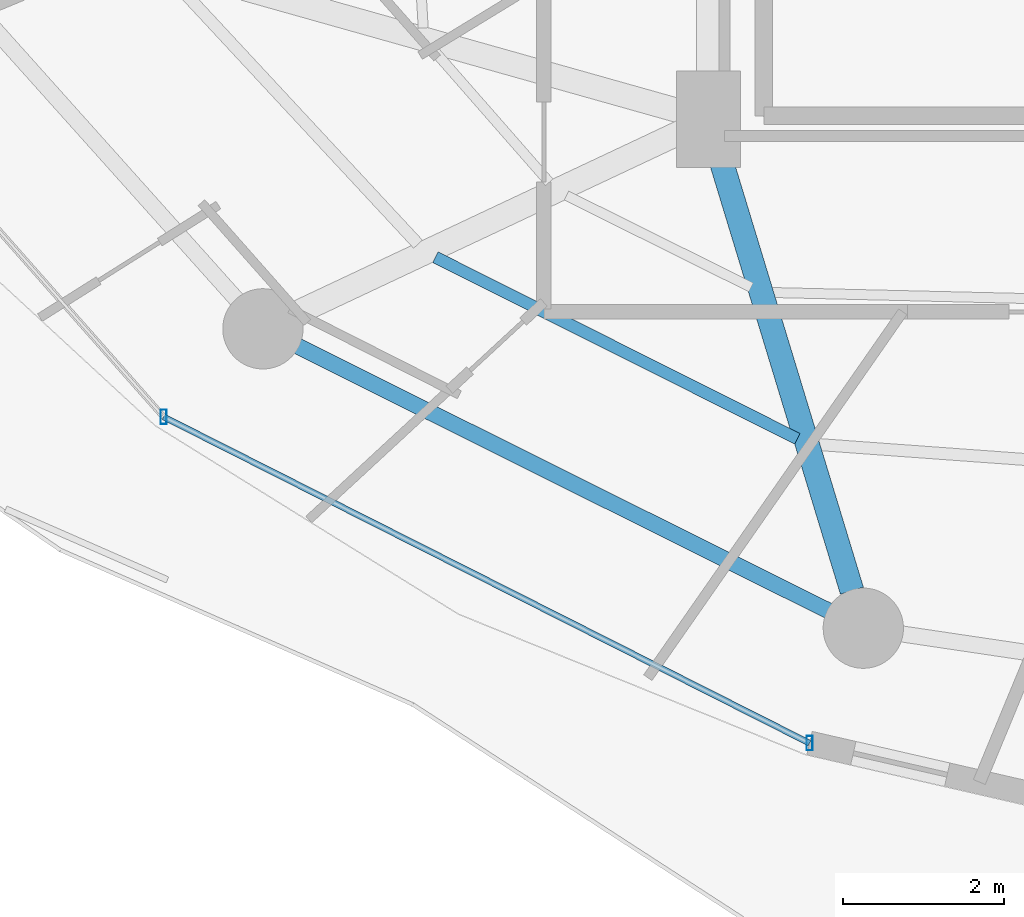
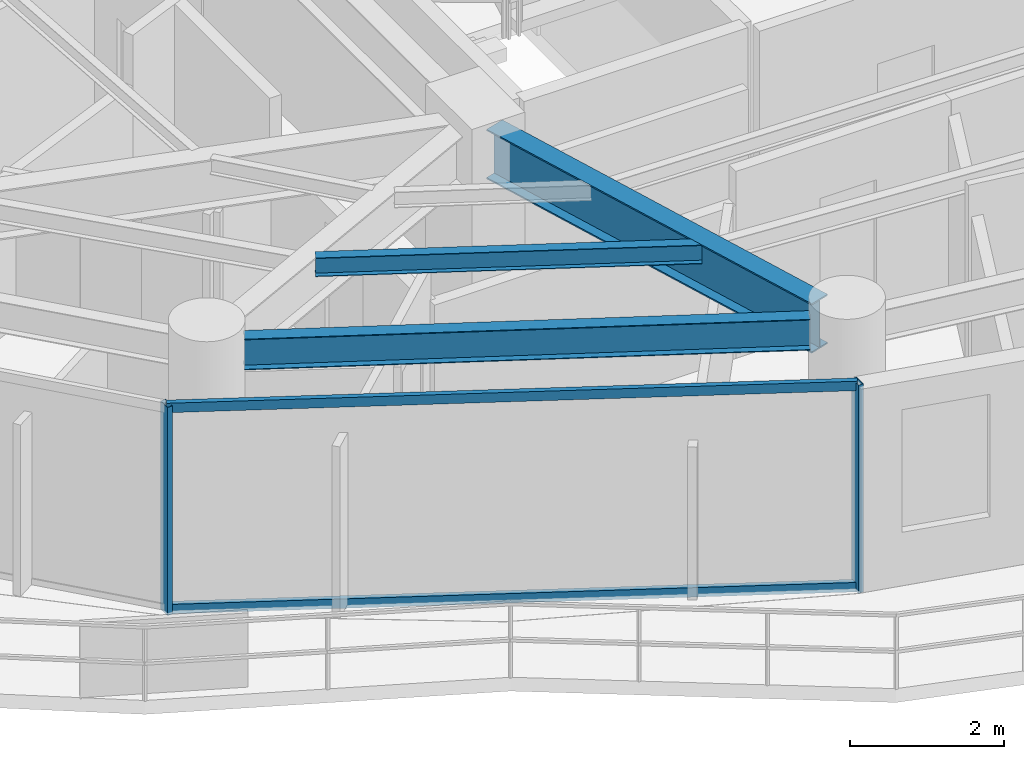
# One storey, part 2 of 28: 4 members, 3 beams, 1 element without a shape of its own.
"""IFC4 building model written with IfcOpenShell, lengths in metres."""

from ifc_helpers import new_model, si_unit, direction, frame, origin, origin_2d, place, context, subcontext, project, spatial, hollow_rectangle, i_section, extrude, material, material_profile, profile_set, type_object, element, aggregate, save


model = new_model("IFC4")

# Units and contexts
model_context = context("Model", 3, precision=1e-05, world=origin(), true_north=direction((0.0, 1.0)))
body_context = subcontext(model_context, "Body", "Model", "MODEL_VIEW")
ifc_project = project(units=[si_unit("LENGTHUNIT", "METRE"), si_unit("AREAUNIT", "SQUARE_METRE"), si_unit("VOLUMEUNIT", "CUBIC_METRE"), si_unit("PLANEANGLEUNIT", "RADIAN"), si_unit("MASSUNIT", "GRAM", prefix="KILO")], contexts=[model_context])

# Site, building, storey
site_placement = place(None, origin())
site = spatial("IfcSite", under=ifc_project, at=site_placement, CompositionType="ELEMENT")
building_placement = place(site_placement, origin())
building = spatial("IfcBuilding", under=site, at=building_placement, Name="Vorneva Point Tower", CompositionType="ELEMENT")
storey_placement = place(building_placement, frame((0.0, 0.0, 139.60009765625)))
storey = spatial("IfcBuildingStorey", under=building, at=storey_placement, Name="L37", CompositionType="ELEMENT", Elevation=139.60009765625)

# Beams
ifc_material_1 = material(Name="Steel S355", Category="steel")
ifc_material_profile_1 = material_profile(ifc_material_1, i_section(OverallWidth=0.300048828125, OverallDepth=0.7880859375, WebThickness=0.014404296875, FlangeThickness=0.02197265625, at=origin_2d()), Name="80Sh1")
ifc_profile_set_1 = profile_set([ifc_material_profile_1], Name="Steel S355")
beam_type_1 = type_object("IfcBeamType", Name="BM-GRD-80Sh1", PredefinedType="USERDEFINED", material=ifc_profile_set_1)
beam_1_placement = place(storey_placement, frame((29.037109375, 10.576171875, 2.845947265625), z_axis=(-0.291049382966, 0.95670803105, 0.0), x_axis=(-0.95670803105, -0.291049382966, 0.0)))
element("IfcBeam", 1, at=beam_1_placement, inside=storey, type_object=beam_type_1, Name="L37 Radial Primary Girder 12", ObjectType="GIRDER", PredefinedType="USERDEFINED", context=body_context, shape_type="SweptSolid", body=[
    extrude(i_section(OverallWidth=0.300048828125, OverallDepth=0.7880859375, WebThickness=0.014404296875, FlangeThickness=0.02197265625, at=origin_2d()), origin(), (0.0, 0.0, 1.0), 5.799560546875),
])
ifc_material_profile_2 = material_profile(ifc_material_1, i_section(OverallWidth=0.14892578125, OverallDepth=0.298095703125, WebThickness=0.005615234375, FlangeThickness=0.008056640625, at=origin_2d()), Name="30B1")
ifc_profile_set_2 = profile_set([ifc_material_profile_2], Name="Steel S355")
beam_type_2 = type_object("IfcBeamType", Name="BM-JST-30B1", PredefinedType="JOIST", material=ifc_profile_set_2)
beam_2_placement = place(storey_placement, frame((23.85009765625, 14.7294921875, 3.0908203125), z_axis=(0.893855059999, -0.448356032316, 0.0), x_axis=(0.448356032316, 0.893855059999, 0.0)))
element("IfcBeam", 2, at=beam_2_placement, inside=storey, type_object=beam_type_2, Name="L37 Secondary Floor Beam 1.11", PredefinedType="JOIST", context=body_context, shape_type="SweptSolid", body=[
    extrude(i_section(OverallWidth=0.14892578125, OverallDepth=0.298095703125, WebThickness=0.005615234375, FlangeThickness=0.008056640625, at=origin_2d()), origin(), (0.0, 0.0, 1.0), 5.041748046875),
])
ifc_material_profile_3 = material_profile(ifc_material_1, i_section(OverallWidth=0.199951171875, OverallDepth=0.491943359375, WebThickness=0.0087890625, FlangeThickness=0.011962890625, at=origin_2d()), Name="50B1")
ifc_profile_set_3 = profile_set([ifc_material_profile_3], Name="Steel S355")
beam_type_3 = type_object("IfcBeamType", Name="BM-SPN-50B1", PredefinedType="SPANDREL", material=ifc_profile_set_3)
beam_3_placement = place(storey_placement, frame((22.13525390625, 13.621337890625, 2.993896484375), z_axis=(0.894929061397, -0.446208443518, 0.0), x_axis=(0.446208443518, 0.894929061397, 0.0)))
element("IfcBeam", 3, at=beam_3_placement, inside=storey, type_object=beam_type_3, Name="L37 Perimeter Spandrel Ring Beam 11", PredefinedType="SPANDREL", context=body_context, shape_type="SweptSolid", body=[
    extrude(i_section(OverallWidth=0.199951171875, OverallDepth=0.491943359375, WebThickness=0.0087890625, FlangeThickness=0.011962890625, at=origin_2d()), origin(), (0.0, 0.0, 1.0), 7.385986328125),
])

# Curtain wall, members
ifc_material_2 = material(Name="Pale anodised aluminium", Category="aluminium")
curtain_wall_type = type_object("IfcCurtainWallType", Name="CW-RES-SYS", PredefinedType="NOTDEFINED", material=ifc_material_2)
curtain_wall_placement = place(storey_placement, origin())
curtain_wall = element("IfcCurtainWall", 4, at=curtain_wall_placement, inside=storey, type_object=curtain_wall_type, Name="L37 Unitised Curtain Wall CW-L37-R02", PredefinedType="NOTDEFINED")
ifc_material_profile_4 = material_profile(ifc_material_2, hollow_rectangle(XDim=0.074951171875, YDim=0.179931640625, WallThickness=0.00390625, at=origin_2d()), Name="AL-MUL 180x75x4")
ifc_profile_set_4 = profile_set([ifc_material_profile_4], Name="Pale anodised aluminium")
member_type_1 = type_object("IfcMemberType", Name="CW-MUL-180", PredefinedType="MULLION", material=ifc_profile_set_4)
member_1_placement = place(storey_placement, frame((20.4638671875, 12.74169921875, -0.0400390625), z_axis=(0.0, 0.0, 1.0), x_axis=(1.0, 0.0, 0.0)))
member_1 = element("IfcMember", 5, at=member_1_placement, type_object=member_type_1, Name="CW-L37-R02 Mullion 05", PredefinedType="MULLION", context=body_context, shape_type="SweptSolid", body=[
    extrude(hollow_rectangle(XDim=0.074951171875, YDim=0.179931640625, WallThickness=0.00390625, at=origin_2d()), origin(), (0.0, 0.0, 1.0), 3.31005859375),
])
member_2_placement = place(storey_placement, frame((28.509521484375, 8.67724609375, -0.0400390625), z_axis=(0.0, 0.0, 1.0), x_axis=(1.0, 0.0, 0.0)))
member_2 = element("IfcMember", 6, at=member_2_placement, type_object=member_type_1, Name="CW-L37-R02 Mullion 06", PredefinedType="MULLION", context=body_context, shape_type="SweptSolid", body=[
    extrude(hollow_rectangle(XDim=0.074951171875, YDim=0.179931640625, WallThickness=0.00390625, at=origin_2d()), origin(), (0.0, 0.0, 1.0), 3.31005859375),
])
ifc_material_profile_5 = material_profile(ifc_material_2, hollow_rectangle(XDim=0.074951171875, YDim=0.14990234375, WallThickness=0.00390625, at=origin_2d()), Name="AL-TRN 150x75x4")
ifc_profile_set_5 = profile_set([ifc_material_profile_5], Name="Pale anodised aluminium")
member_type_2 = type_object("IfcMemberType", Name="CW-TRN-150", PredefinedType="USERDEFINED", material=ifc_profile_set_5)
member_3_placement = place(storey_placement, frame((20.4638671875, 12.74169921875, 0.02001953125), z_axis=(0.892572392955, -0.450904117673, 0.0), x_axis=(0.450904117673, 0.892572392955, 0.0)))
member_3 = element("IfcMember", 7, at=member_3_placement, type_object=member_type_2, Name="CW-L37-R02 Transom 05.1", ObjectType="TRANSOM", PredefinedType="USERDEFINED", context=body_context, shape_type="SweptSolid", body=[
    extrude(hollow_rectangle(XDim=0.074951171875, YDim=0.14990234375, WallThickness=0.00390625, at=origin_2d()), origin(), (0.0, 0.0, 1.0), 9.013916015625),
])
member_4_placement = place(storey_placement, frame((20.4638671875, 12.74169921875, 3.219970703125), z_axis=(0.892572392955, -0.450904117673, 0.0), x_axis=(0.450904117673, 0.892572392955, 0.0)))
member_4 = element("IfcMember", 8, at=member_4_placement, type_object=member_type_2, Name="CW-L37-R02 Transom 05.2", ObjectType="TRANSOM", PredefinedType="USERDEFINED", context=body_context, shape_type="SweptSolid", body=[
    extrude(hollow_rectangle(XDim=0.074951171875, YDim=0.14990234375, WallThickness=0.00390625, at=origin_2d()), origin(), (0.0, 0.0, 1.0), 9.013916015625),
])
aggregate(curtain_wall, [member_1, member_2, member_3, member_4])

save(model, "model.ifc")
